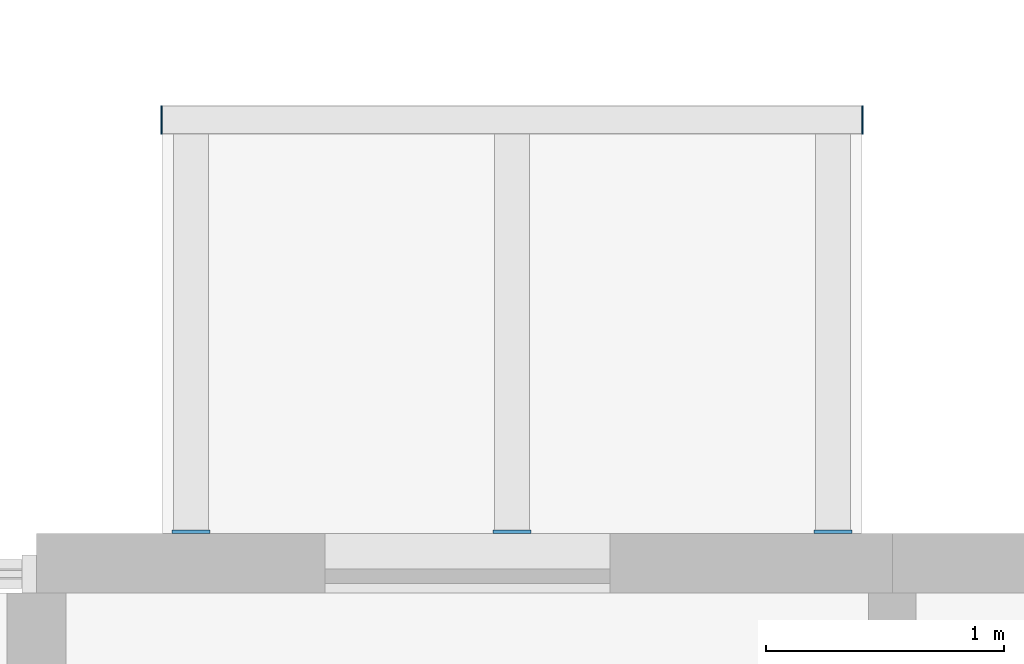
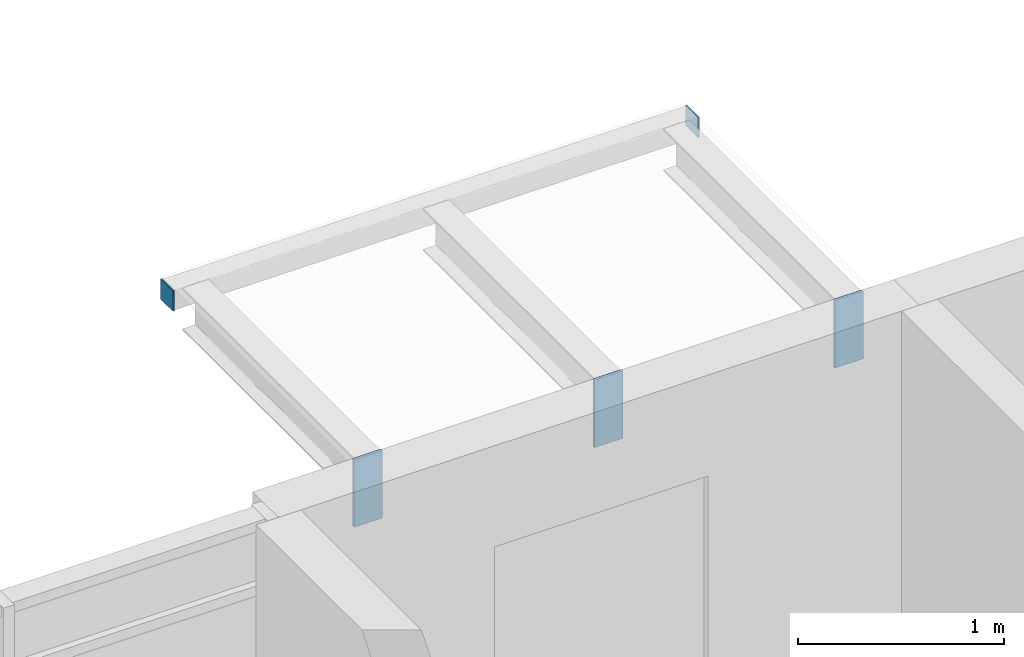
# One storey, part 66 of 99: 5 discrete accessories.
"""IFC4 building model written with IfcOpenShell, lengths in metres."""

from ifc_helpers import new_model, si_unit, direction, frame, origin, origin_2d, place, context, subcontext, project, spatial, rectangle, extrude, material, layer, layer_set, type_object, element, save


model = new_model("IFC4")

# Units and contexts
model_context = context("Model", 3, precision=1e-05, world=origin(), true_north=direction((0.0, 1.0)))
body_context = subcontext(model_context, "Body", "Model", "MODEL_VIEW")
ifc_project = project(units=[si_unit("LENGTHUNIT", "METRE"), si_unit("AREAUNIT", "SQUARE_METRE"), si_unit("VOLUMEUNIT", "CUBIC_METRE"), si_unit("PLANEANGLEUNIT", "RADIAN"), si_unit("MASSUNIT", "GRAM", prefix="KILO")], contexts=[model_context])

# Site, building, storey
site_placement = place(None, origin())
site = spatial("IfcSite", under=ifc_project, at=site_placement, CompositionType="ELEMENT")
building_placement = place(site_placement, origin())
building = spatial("IfcBuilding", under=site, at=building_placement, Name="Ridgestep Commons", CompositionType="ELEMENT")
storey_placement = place(building_placement, frame((0.0, 0.0, 15.0)))
storey = spatial("IfcBuildingStorey", under=building, at=storey_placement, Name="L05", CompositionType="ELEMENT", Elevation=15.0)

# Discrete accessories
ifc_material_1 = material(Name="Weathering steel S355J2W", Category="steel")
ifc_layer_1 = layer(ifc_material_1, 0.014892578125)
ifc_layer_set_1 = layer_set([ifc_layer_1], Name="Tray bracket plate 15")
discrete_accessory_type_1 = type_object("IfcDiscreteAccessoryType", Name="Tray bracket plate 15", PredefinedType="BRACKET", material=ifc_layer_set_1)
for number, where, z_axis, x_axis, name in (
    (1, (35.449951171875, 77.257568359375, 2.588623046875), (0.0, 0.0, 1.0), (1.0, 0.0, 0.0), "Tray bracket B2T3-06.1"),
    (2, (36.800048828125, 77.257568359375, 2.588623046875), (0.0, 0.0, 1.0), (1.0, 0.0, 0.0), "Tray bracket B2T3-06.2"),
    (3, (38.14990234375, 77.257568359375, 2.588623046875), (0.0, 0.0, 1.0), (1.0, 0.0, 0.0), "Tray bracket B2T3-06.3"),
):
    element("IfcDiscreteAccessory", number, at=place(storey_placement, frame(where, z_axis=z_axis, x_axis=x_axis)), inside=storey, type_object=discrete_accessory_type_1, Name=name, PredefinedType="BRACKET", context=body_context, shape_type="SweptSolid", body=[
        extrude(rectangle(XDim=0.159912109375, YDim=0.014892578125, at=origin_2d()), origin(), (0.0, 0.0, 1.0), 0.4013671875),
    ])
ifc_material_2 = material(Name="Weathering steel S355J2W", Category="steel")
ifc_layer_2 = layer(ifc_material_2, 0.008056640625)
ifc_layer_set_2 = layer_set([ifc_layer_2], Name="Tray edge member end plate 120 x 120 x 8")
discrete_accessory_type_2 = type_object("IfcDiscreteAccessoryType", Name="Tray edge member end plate 120 x 120 x 8", PredefinedType="BRACKET", material=ifc_layer_set_2)
for number, where, z_axis, x_axis, name in (
    (4, (35.325927734375, 78.989990234375, 2.869873046875), (0.0, 0.0, 1.0), (1.0, 0.0, 0.0), "Tray edge member end plate B2T3-06 west"),
    (5, (38.27392578125, 78.989990234375, 2.869873046875), (0.0, 0.0, 1.0), (1.0, 0.0, 0.0), "Tray edge member end plate B2T3-06 east"),
):
    element("IfcDiscreteAccessory", number, at=place(storey_placement, frame(where, z_axis=z_axis, x_axis=x_axis)), inside=storey, type_object=discrete_accessory_type_2, Name=name, PredefinedType="BRACKET", context=body_context, shape_type="SweptSolid", body=[
        extrude(rectangle(XDim=0.008056640625, YDim=0.1201171875, at=origin_2d()), origin(), (0.0, 0.0, 1.0), 0.1201171875),
    ])

save(model, "model.ifc")
